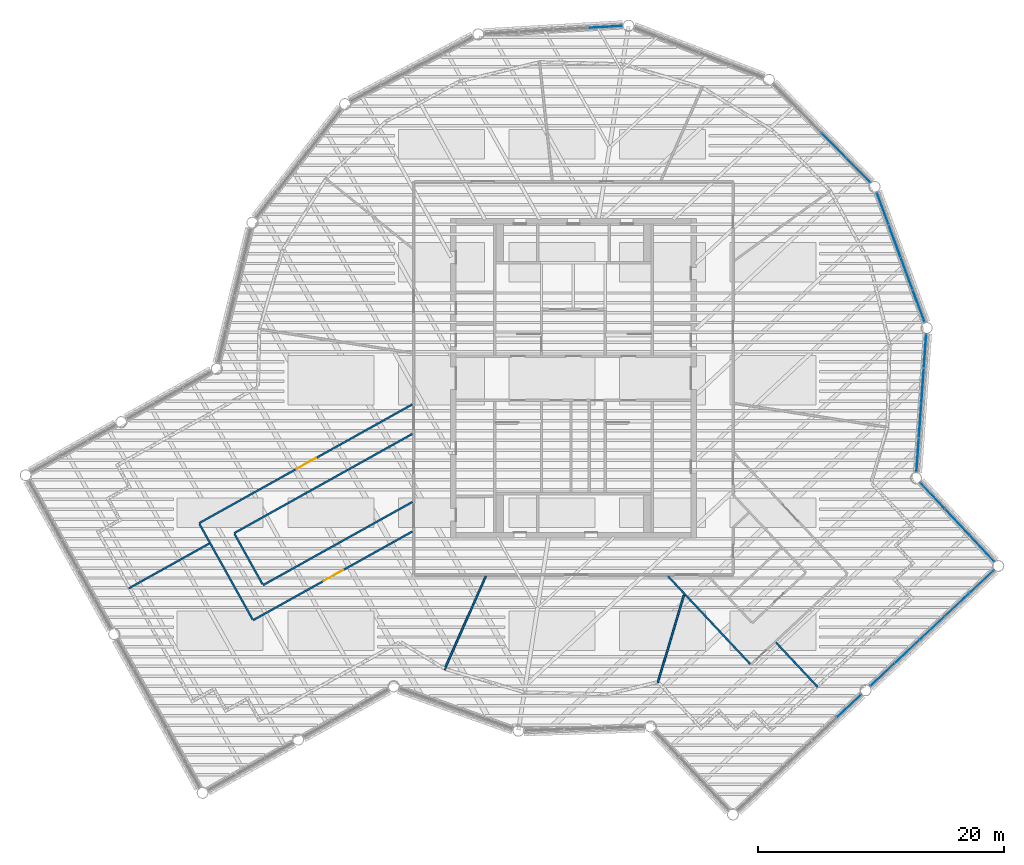
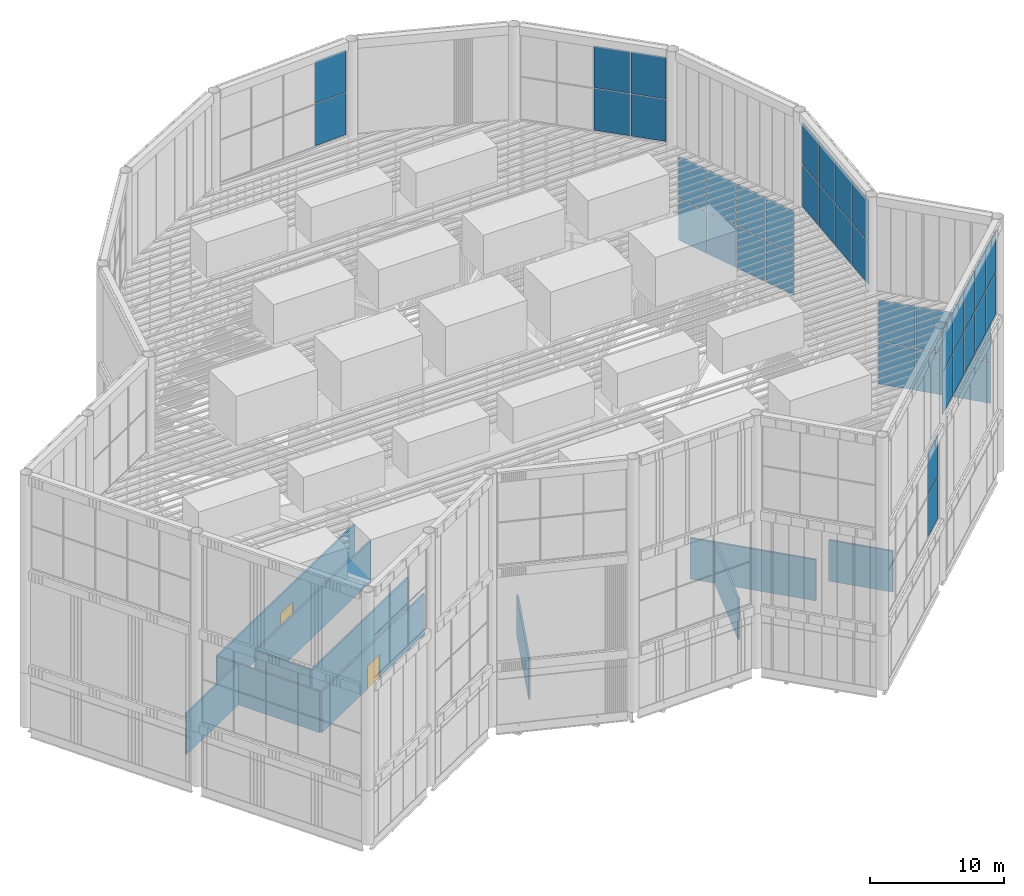
# One storey, part 81 of 117: 40 plates, 11 walls, 2 doors, 2 openings, 7 elements without a shape of their own.
"""IFC4 building model written with IfcOpenShell, lengths in metres."""

from ifc_helpers import new_model, si_unit, direction, frame, frame_2d, origin, origin_2d, place, context, subcontext, project, spatial, rectangle, extrude, material, layer, layer_set, type_object, element, fill, aggregate, save


model = new_model("IFC4")

# Units and contexts
model_context = context("Model", 3, precision=1e-05, world=origin(), true_north=direction((0.0, 1.0)))
body_context = subcontext(model_context, "Body", "Model", "MODEL_VIEW")
ifc_project = project(units=[si_unit("LENGTHUNIT", "METRE"), si_unit("AREAUNIT", "SQUARE_METRE"), si_unit("VOLUMEUNIT", "CUBIC_METRE"), si_unit("PLANEANGLEUNIT", "RADIAN"), si_unit("MASSUNIT", "GRAM", prefix="KILO")], contexts=[model_context])

# Site, building, storey
site_placement = place(None, origin())
site = spatial("IfcSite", under=ifc_project, at=site_placement, CompositionType="ELEMENT")
building_placement = place(site_placement, origin())
building = spatial("IfcBuilding", under=site, at=building_placement, Name="Tarsis Ring Headquarters", CompositionType="ELEMENT")
storey_placement = place(building_placement, frame((0.0, 0.0, 403.60009765625)))
storey = spatial("IfcBuildingStorey", under=building, at=storey_placement, Name="L95", CompositionType="ELEMENT", Elevation=403.60009765625)

# Curtain wall, plates
ifc_material_1 = material(Name="Aluminium curtain wall", Category="aluminium")
ifc_layer_1 = layer(ifc_material_1, 0.179931640625)
ifc_layer_set_1 = layer_set([ifc_layer_1], Name="Curtain wall crown glazing")
curtain_wall_type = type_object("IfcCurtainWallType", Name="Curtain wall crown glazing", PredefinedType="NOTDEFINED", material=ifc_layer_set_1)
curtain_wall_1_placement = place(storey_placement, origin())
curtain_wall_1 = element("IfcCurtainWall", 1, at=curtain_wall_1_placement, inside=storey, type_object=curtain_wall_type, Name="Crown glazing L3", PredefinedType="NOTDEFINED")
ifc_material_2 = material(Name="Clear double glazing", Category="glass")
ifc_layer_2 = layer(ifc_material_2, 0.031982421875)
ifc_layer_set_2 = layer_set([ifc_layer_2], Name="Crown glazing glass panel")
plate_type = type_object("IfcPlateType", Name="Crown glazing glass panel", PredefinedType="CURTAIN_PANEL", material=ifc_layer_set_2)
plate_1_placement = place(storey_placement, frame((22.4267578125, -26.6748046875, 5.869873046875), z_axis=(0.0, 0.0, 1.0), x_axis=(0.729923774312, 0.683528553678, 0.0)))
plate_1 = element("IfcPlate", 2, at=plate_1_placement, type_object=plate_type, Name="CW-C panel 5.1", PredefinedType="CURTAIN_PANEL", context=body_context, shape_type="SweptSolid", body=[
    extrude(rectangle(XDim=2.672119140625, YDim=0.031982421875, at=origin_2d()), origin(), (0.0, 0.0, 1.0), 3.794921875),
])
plate_2_placement = place(storey_placement, frame((22.4267578125, -26.6748046875, 9.73486328125), z_axis=(0.0, 0.0, 1.0), x_axis=(0.729923774312, 0.683528553678, 0.0)))
plate_2 = element("IfcPlate", 3, at=plate_2_placement, type_object=plate_type, Name="CW-C panel 5.2", PredefinedType="CURTAIN_PANEL", context=body_context, shape_type="SweptSolid", body=[
    extrude(rectangle(XDim=2.672119140625, YDim=0.031982421875, at=origin_2d()), origin(), (0.0, 0.0, 1.0), 3.794921875),
])
aggregate(curtain_wall_1, [plate_1, plate_2])

curtain_wall_2_placement = place(storey_placement, origin())
curtain_wall_2 = element("IfcCurtainWall", 4, at=curtain_wall_2_placement, inside=storey, type_object=curtain_wall_type, Name="Crown glazing L5", PredefinedType="NOTDEFINED")
plate_3_placement = place(storey_placement, frame((33.25244140625, -13.857177734375, 5.869873046875), z_axis=(0.0, 0.0, 1.0), x_axis=(-0.683528534021, 0.72992379272, 0.0)))
plate_3 = element("IfcPlate", 5, at=plate_3_placement, type_object=plate_type, Name="CW-C panel 1.1", PredefinedType="CURTAIN_PANEL", context=body_context, shape_type="SweptSolid", body=[
    extrude(rectangle(XDim=2.8583984375, YDim=0.031982421875, at=origin_2d()), origin(), (0.0, 0.0, 1.0), 3.794921875),
])
plate_4_placement = place(storey_placement, frame((33.25244140625, -13.857177734375, 9.73486328125), z_axis=(0.0, 0.0, 1.0), x_axis=(-0.683528534021, 0.72992379272, 0.0)))
plate_4 = element("IfcPlate", 6, at=plate_4_placement, type_object=plate_type, Name="CW-C panel 1.2", PredefinedType="CURTAIN_PANEL", context=body_context, shape_type="SweptSolid", body=[
    extrude(rectangle(XDim=2.8583984375, YDim=0.031982421875, at=origin_2d()), origin(), (0.0, 0.0, 1.0), 3.794921875),
])
plate_5_placement = place(storey_placement, frame((31.23876953125, -11.706787109375, 5.869873046875), z_axis=(0.0, 0.0, 1.0), x_axis=(-0.683528534021, 0.72992379272, 0.0)))
plate_5 = element("IfcPlate", 7, at=plate_5_placement, type_object=plate_type, Name="CW-C panel 2.1", PredefinedType="CURTAIN_PANEL", context=body_context, shape_type="SweptSolid", body=[
    extrude(rectangle(XDim=2.8935546875, YDim=0.031982421875, at=origin_2d()), origin(), (0.0, 0.0, 1.0), 3.794921875),
])
plate_6_placement = place(storey_placement, frame((31.23876953125, -11.706787109375, 9.73486328125), z_axis=(0.0, 0.0, 1.0), x_axis=(-0.683528534021, 0.72992379272, 0.0)))
plate_6 = element("IfcPlate", 8, at=plate_6_placement, type_object=plate_type, Name="CW-C panel 2.2", PredefinedType="CURTAIN_PANEL", context=body_context, shape_type="SweptSolid", body=[
    extrude(rectangle(XDim=2.8935546875, YDim=0.031982421875, at=origin_2d()), origin(), (0.0, 0.0, 1.0), 3.794921875),
])
plate_7_placement = place(storey_placement, frame((29.22509765625, -9.556396484375, 5.869873046875), z_axis=(0.0, 0.0, 1.0), x_axis=(-0.683528534021, 0.72992379272, 0.0)))
plate_7 = element("IfcPlate", 9, at=plate_7_placement, type_object=plate_type, Name="CW-C panel 3.1", PredefinedType="CURTAIN_PANEL", context=body_context, shape_type="SweptSolid", body=[
    extrude(rectangle(XDim=2.8583984375, YDim=0.031982421875, at=origin_2d()), origin(), (0.0, 0.0, 1.0), 3.794921875),
])
plate_8_placement = place(storey_placement, frame((29.22509765625, -9.556396484375, 9.73486328125), z_axis=(0.0, 0.0, 1.0), x_axis=(-0.683528534021, 0.72992379272, 0.0)))
plate_8 = element("IfcPlate", 10, at=plate_8_placement, type_object=plate_type, Name="CW-C panel 3.2", PredefinedType="CURTAIN_PANEL", context=body_context, shape_type="SweptSolid", body=[
    extrude(rectangle(XDim=2.8583984375, YDim=0.031982421875, at=origin_2d()), origin(), (0.0, 0.0, 1.0), 3.794921875),
])
aggregate(curtain_wall_2, [plate_3, plate_4, plate_5, plate_6, plate_7, plate_8])

curtain_wall_3_placement = place(storey_placement, origin())
curtain_wall_3 = element("IfcCurtainWall", 11, at=curtain_wall_3_placement, inside=storey, type_object=curtain_wall_type, Name="Crown glazing L7", PredefinedType="NOTDEFINED")
plate_9_placement = place(storey_placement, frame((28.104248046875, 5.863525390625, 5.869873046875), z_axis=(0.0, 0.0, 1.0), x_axis=(-0.346342494267, 0.938108136978, 0.0)))
plate_9 = element("IfcPlate", 12, at=plate_9_placement, type_object=plate_type, Name="CW-C panel 1.1", PredefinedType="CURTAIN_PANEL", context=body_context, shape_type="SweptSolid", body=[
    extrude(rectangle(XDim=2.728759765625, YDim=0.031982421875, at=origin_2d()), origin(), (0.0, 0.0, 1.0), 3.794921875),
])
plate_10_placement = place(storey_placement, frame((28.104248046875, 5.863525390625, 9.73486328125), z_axis=(0.0, 0.0, 1.0), x_axis=(-0.346342494267, 0.938108136978, 0.0)))
plate_10 = element("IfcPlate", 13, at=plate_10_placement, type_object=plate_type, Name="CW-C panel 1.2", PredefinedType="CURTAIN_PANEL", context=body_context, shape_type="SweptSolid", body=[
    extrude(rectangle(XDim=2.728759765625, YDim=0.031982421875, at=origin_2d()), origin(), (0.0, 0.0, 1.0), 3.794921875),
])
plate_11_placement = place(storey_placement, frame((27.12890625, 8.50537109375, 5.869873046875), z_axis=(0.0, 0.0, 1.0), x_axis=(-0.346342494267, 0.938108136978, 0.0)))
plate_11 = element("IfcPlate", 14, at=plate_11_placement, type_object=plate_type, Name="CW-C panel 2.1", PredefinedType="CURTAIN_PANEL", context=body_context, shape_type="SweptSolid", body=[
    extrude(rectangle(XDim=2.763671875, YDim=0.031982421875, at=origin_2d()), origin(), (0.0, 0.0, 1.0), 3.794921875),
])
plate_12_placement = place(storey_placement, frame((27.12890625, 8.50537109375, 9.73486328125), z_axis=(0.0, 0.0, 1.0), x_axis=(-0.346342494267, 0.938108136978, 0.0)))
plate_12 = element("IfcPlate", 15, at=plate_12_placement, type_object=plate_type, Name="CW-C panel 2.2", PredefinedType="CURTAIN_PANEL", context=body_context, shape_type="SweptSolid", body=[
    extrude(rectangle(XDim=2.763671875, YDim=0.031982421875, at=origin_2d()), origin(), (0.0, 0.0, 1.0), 3.794921875),
])
plate_13_placement = place(storey_placement, frame((26.1474609375, 11.163818359375, 5.869873046875), z_axis=(0.0, 0.0, 1.0), x_axis=(-0.346342494267, 0.938108136978, 0.0)))
plate_13 = element("IfcPlate", 16, at=plate_13_placement, type_object=plate_type, Name="CW-C panel 3.1", PredefinedType="CURTAIN_PANEL", context=body_context, shape_type="SweptSolid", body=[
    extrude(rectangle(XDim=2.763671875, YDim=0.031982421875, at=origin_2d()), origin(), (0.0, 0.0, 1.0), 3.794921875),
])
plate_14_placement = place(storey_placement, frame((26.1474609375, 11.163818359375, 9.73486328125), z_axis=(0.0, 0.0, 1.0), x_axis=(-0.346342494267, 0.938108136978, 0.0)))
plate_14 = element("IfcPlate", 17, at=plate_14_placement, type_object=plate_type, Name="CW-C panel 3.2", PredefinedType="CURTAIN_PANEL", context=body_context, shape_type="SweptSolid", body=[
    extrude(rectangle(XDim=2.763671875, YDim=0.031982421875, at=origin_2d()), origin(), (0.0, 0.0, 1.0), 3.794921875),
])
plate_15_placement = place(storey_placement, frame((25.172119140625, 13.8056640625, 5.869873046875), z_axis=(0.0, 0.0, 1.0), x_axis=(-0.346342494267, 0.938108136978, 0.0)))
plate_15 = element("IfcPlate", 18, at=plate_15_placement, type_object=plate_type, Name="CW-C panel 4.1", PredefinedType="CURTAIN_PANEL", context=body_context, shape_type="SweptSolid", body=[
    extrude(rectangle(XDim=2.728759765625, YDim=0.031982421875, at=origin_2d()), origin(), (0.0, 0.0, 1.0), 3.794921875),
])
plate_16_placement = place(storey_placement, frame((25.172119140625, 13.8056640625, 9.73486328125), z_axis=(0.0, 0.0, 1.0), x_axis=(-0.346342494267, 0.938108136978, 0.0)))
plate_16 = element("IfcPlate", 19, at=plate_16_placement, type_object=plate_type, Name="CW-C panel 4.2", PredefinedType="CURTAIN_PANEL", context=body_context, shape_type="SweptSolid", body=[
    extrude(rectangle(XDim=2.728759765625, YDim=0.031982421875, at=origin_2d()), origin(), (0.0, 0.0, 1.0), 3.794921875),
])
aggregate(curtain_wall_3, [plate_9, plate_10, plate_11, plate_12, plate_13, plate_14, plate_15, plate_16])

curtain_wall_4_placement = place(storey_placement, origin())
curtain_wall_4 = element("IfcCurtainWall", 20, at=curtain_wall_4_placement, inside=storey, type_object=curtain_wall_type, Name="Crown glazing U4", PredefinedType="NOTDEFINED")
plate_17_placement = place(storey_placement, frame((25.146728515625, -24.1279296875, 14.469970703125), z_axis=(0.0, 0.0, 1.0), x_axis=(0.729923807954, 0.683528517753, 0.0)))
plate_17 = element("IfcPlate", 21, at=plate_17_placement, type_object=plate_type, Name="CW-C panel 1.1", PredefinedType="CURTAIN_PANEL", context=body_context, shape_type="SweptSolid", body=[
    extrude(rectangle(XDim=2.672119140625, YDim=0.031982421875, at=origin_2d()), origin(), (0.0, 0.0, 1.0), 3.794921875),
])
plate_18_placement = place(storey_placement, frame((25.146728515625, -24.1279296875, 18.3349609375), z_axis=(0.0, 0.0, 1.0), x_axis=(0.729923807954, 0.683528517753, 0.0)))
plate_18 = element("IfcPlate", 22, at=plate_18_placement, type_object=plate_type, Name="CW-C panel 1.2", PredefinedType="CURTAIN_PANEL", context=body_context, shape_type="SweptSolid", body=[
    extrude(rectangle(XDim=2.672119140625, YDim=0.031982421875, at=origin_2d()), origin(), (0.0, 0.0, 1.0), 3.794921875),
])
plate_19_placement = place(storey_placement, frame((27.1611328125, -22.241455078125, 14.469970703125), z_axis=(0.0, 0.0, 1.0), x_axis=(0.729923807954, 0.683528517753, 0.0)))
plate_19 = element("IfcPlate", 23, at=plate_19_placement, type_object=plate_type, Name="CW-C panel 2.1", PredefinedType="CURTAIN_PANEL", context=body_context, shape_type="SweptSolid", body=[
    extrude(rectangle(XDim=2.707275390625, YDim=0.031982421875, at=origin_2d()), origin(), (0.0, 0.0, 1.0), 3.794921875),
])
plate_20_placement = place(storey_placement, frame((27.1611328125, -22.241455078125, 18.3349609375), z_axis=(0.0, 0.0, 1.0), x_axis=(0.729923807954, 0.683528517753, 0.0)))
plate_20 = element("IfcPlate", 24, at=plate_20_placement, type_object=plate_type, Name="CW-C panel 2.2", PredefinedType="CURTAIN_PANEL", context=body_context, shape_type="SweptSolid", body=[
    extrude(rectangle(XDim=2.707275390625, YDim=0.031982421875, at=origin_2d()), origin(), (0.0, 0.0, 1.0), 3.794921875),
])
plate_21_placement = place(storey_placement, frame((29.188232421875, -20.34326171875, 14.469970703125), z_axis=(0.0, 0.0, 1.0), x_axis=(0.729923807954, 0.683528517753, 0.0)))
plate_21 = element("IfcPlate", 25, at=plate_21_placement, type_object=plate_type, Name="CW-C panel 3.1", PredefinedType="CURTAIN_PANEL", context=body_context, shape_type="SweptSolid", body=[
    extrude(rectangle(XDim=2.707275390625, YDim=0.031982421875, at=origin_2d()), origin(), (0.0, 0.0, 1.0), 3.794921875),
])
plate_22_placement = place(storey_placement, frame((29.188232421875, -20.34326171875, 18.3349609375), z_axis=(0.0, 0.0, 1.0), x_axis=(0.729923807954, 0.683528517753, 0.0)))
plate_22 = element("IfcPlate", 26, at=plate_22_placement, type_object=plate_type, Name="CW-C panel 3.2", PredefinedType="CURTAIN_PANEL", context=body_context, shape_type="SweptSolid", body=[
    extrude(rectangle(XDim=2.707275390625, YDim=0.031982421875, at=origin_2d()), origin(), (0.0, 0.0, 1.0), 3.794921875),
])
plate_23_placement = place(storey_placement, frame((31.21533203125, -18.44482421875, 14.469970703125), z_axis=(0.0, 0.0, 1.0), x_axis=(0.729923807954, 0.683528517753, 0.0)))
plate_23 = element("IfcPlate", 27, at=plate_23_placement, type_object=plate_type, Name="CW-C panel 4.1", PredefinedType="CURTAIN_PANEL", context=body_context, shape_type="SweptSolid", body=[
    extrude(rectangle(XDim=2.707275390625, YDim=0.031982421875, at=origin_2d()), origin(), (0.0, 0.0, 1.0), 3.794921875),
])
plate_24_placement = place(storey_placement, frame((31.21533203125, -18.44482421875, 18.3349609375), z_axis=(0.0, 0.0, 1.0), x_axis=(0.729923807954, 0.683528517753, 0.0)))
plate_24 = element("IfcPlate", 28, at=plate_24_placement, type_object=plate_type, Name="CW-C panel 4.2", PredefinedType="CURTAIN_PANEL", context=body_context, shape_type="SweptSolid", body=[
    extrude(rectangle(XDim=2.707275390625, YDim=0.031982421875, at=origin_2d()), origin(), (0.0, 0.0, 1.0), 3.794921875),
])
plate_25_placement = place(storey_placement, frame((33.229736328125, -16.55859375, 14.469970703125), z_axis=(0.0, 0.0, 1.0), x_axis=(0.729923807954, 0.683528517753, 0.0)))
plate_25 = element("IfcPlate", 29, at=plate_25_placement, type_object=plate_type, Name="CW-C panel 5.1", PredefinedType="CURTAIN_PANEL", context=body_context, shape_type="SweptSolid", body=[
    extrude(rectangle(XDim=2.672119140625, YDim=0.031982421875, at=origin_2d()), origin(), (0.0, 0.0, 1.0), 3.794921875),
])
plate_26_placement = place(storey_placement, frame((33.229736328125, -16.55859375, 18.3349609375), z_axis=(0.0, 0.0, 1.0), x_axis=(0.729923807954, 0.683528517753, 0.0)))
plate_26 = element("IfcPlate", 30, at=plate_26_placement, type_object=plate_type, Name="CW-C panel 5.2", PredefinedType="CURTAIN_PANEL", context=body_context, shape_type="SweptSolid", body=[
    extrude(rectangle(XDim=2.672119140625, YDim=0.031982421875, at=origin_2d()), origin(), (0.0, 0.0, 1.0), 3.794921875),
])
aggregate(curtain_wall_4, [plate_17, plate_18, plate_19, plate_20, plate_21, plate_22, plate_23, plate_24, plate_25, plate_26])

curtain_wall_5_placement = place(storey_placement, origin())
curtain_wall_5 = element("IfcCurtainWall", 31, at=curtain_wall_5_placement, inside=storey, type_object=curtain_wall_type, Name="Crown glazing U6", PredefinedType="NOTDEFINED")
plate_27_placement = place(storey_placement, frame((28.0224609375, -6.241943359375, 14.469970703125), z_axis=(0.0, 0.0, 1.0), x_axis=(0.071127060071, 0.997467263285, 0.0)))
plate_27 = element("IfcPlate", 32, at=plate_27_placement, type_object=plate_type, Name="CW-C panel 1.1", PredefinedType="CURTAIN_PANEL", context=body_context, shape_type="SweptSolid", body=[
    extrude(rectangle(XDim=2.728759765625, YDim=0.031982421875, at=origin_2d()), origin(), (0.0, 0.0, 1.0), 3.794921875),
])
plate_28_placement = place(storey_placement, frame((28.0224609375, -6.241943359375, 18.3349609375), z_axis=(0.0, 0.0, 1.0), x_axis=(0.071127060071, 0.997467263285, 0.0)))
plate_28 = element("IfcPlate", 33, at=plate_28_placement, type_object=plate_type, Name="CW-C panel 1.2", PredefinedType="CURTAIN_PANEL", context=body_context, shape_type="SweptSolid", body=[
    extrude(rectangle(XDim=2.728759765625, YDim=0.031982421875, at=origin_2d()), origin(), (0.0, 0.0, 1.0), 3.794921875),
])
plate_29_placement = place(storey_placement, frame((28.222900390625, -3.432861328125, 14.469970703125), z_axis=(0.0, 0.0, 1.0), x_axis=(0.071127060071, 0.997467263285, 0.0)))
plate_29 = element("IfcPlate", 34, at=plate_29_placement, type_object=plate_type, Name="CW-C panel 2.1", PredefinedType="CURTAIN_PANEL", context=body_context, shape_type="SweptSolid", body=[
    extrude(rectangle(XDim=2.763671875, YDim=0.031982421875, at=origin_2d()), origin(), (0.0, 0.0, 1.0), 3.794921875),
])
plate_30_placement = place(storey_placement, frame((28.222900390625, -3.432861328125, 18.3349609375), z_axis=(0.0, 0.0, 1.0), x_axis=(0.071127060071, 0.997467263285, 0.0)))
plate_30 = element("IfcPlate", 35, at=plate_30_placement, type_object=plate_type, Name="CW-C panel 2.2", PredefinedType="CURTAIN_PANEL", context=body_context, shape_type="SweptSolid", body=[
    extrude(rectangle(XDim=2.763671875, YDim=0.031982421875, at=origin_2d()), origin(), (0.0, 0.0, 1.0), 3.794921875),
])
plate_31_placement = place(storey_placement, frame((28.42431640625, -0.6064453125, 14.469970703125), z_axis=(0.0, 0.0, 1.0), x_axis=(0.071127060071, 0.997467263285, 0.0)))
plate_31 = element("IfcPlate", 36, at=plate_31_placement, type_object=plate_type, Name="CW-C panel 3.1", PredefinedType="CURTAIN_PANEL", context=body_context, shape_type="SweptSolid", body=[
    extrude(rectangle(XDim=2.763671875, YDim=0.031982421875, at=origin_2d()), origin(), (0.0, 0.0, 1.0), 3.794921875),
])
plate_32_placement = place(storey_placement, frame((28.42431640625, -0.6064453125, 18.3349609375), z_axis=(0.0, 0.0, 1.0), x_axis=(0.071127060071, 0.997467263285, 0.0)))
plate_32 = element("IfcPlate", 37, at=plate_32_placement, type_object=plate_type, Name="CW-C panel 3.2", PredefinedType="CURTAIN_PANEL", context=body_context, shape_type="SweptSolid", body=[
    extrude(rectangle(XDim=2.763671875, YDim=0.031982421875, at=origin_2d()), origin(), (0.0, 0.0, 1.0), 3.794921875),
])
plate_33_placement = place(storey_placement, frame((28.624755859375, 2.20263671875, 14.469970703125), z_axis=(0.0, 0.0, 1.0), x_axis=(0.071127060071, 0.997467263285, 0.0)))
plate_33 = element("IfcPlate", 38, at=plate_33_placement, type_object=plate_type, Name="CW-C panel 4.1", PredefinedType="CURTAIN_PANEL", context=body_context, shape_type="SweptSolid", body=[
    extrude(rectangle(XDim=2.728759765625, YDim=0.031982421875, at=origin_2d()), origin(), (0.0, 0.0, 1.0), 3.794921875),
])
plate_34_placement = place(storey_placement, frame((28.624755859375, 2.20263671875, 18.3349609375), z_axis=(0.0, 0.0, 1.0), x_axis=(0.071127060071, 0.997467263285, 0.0)))
plate_34 = element("IfcPlate", 39, at=plate_34_placement, type_object=plate_type, Name="CW-C panel 4.2", PredefinedType="CURTAIN_PANEL", context=body_context, shape_type="SweptSolid", body=[
    extrude(rectangle(XDim=2.728759765625, YDim=0.031982421875, at=origin_2d()), origin(), (0.0, 0.0, 1.0), 3.794921875),
])
aggregate(curtain_wall_5, [plate_27, plate_28, plate_29, plate_30, plate_31, plate_32, plate_33, plate_34])

curtain_wall_6_placement = place(storey_placement, origin())
curtain_wall_6 = element("IfcCurtainWall", 40, at=curtain_wall_6_placement, inside=storey, type_object=curtain_wall_type, Name="Crown glazing U8", PredefinedType="NOTDEFINED")
plate_35_placement = place(storey_placement, frame((23.188720703125, 16.926513671875, 14.469970703125), z_axis=(0.0, 0.0, 1.0), x_axis=(-0.70223086464, 0.711949304899, 0.0)))
plate_35 = element("IfcPlate", 41, at=plate_35_placement, type_object=plate_type, Name="CW-C panel 1.1", PredefinedType="CURTAIN_PANEL", context=body_context, shape_type="SweptSolid", body=[
    extrude(rectangle(XDim=2.728759765625, YDim=0.031982421875, at=origin_2d()), origin(), (0.0, 0.0, 1.0), 3.794921875),
])
plate_36_placement = place(storey_placement, frame((23.188720703125, 16.926513671875, 18.3349609375), z_axis=(0.0, 0.0, 1.0), x_axis=(-0.70223086464, 0.711949304899, 0.0)))
plate_36 = element("IfcPlate", 42, at=plate_36_placement, type_object=plate_type, Name="CW-C panel 1.2", PredefinedType="CURTAIN_PANEL", context=body_context, shape_type="SweptSolid", body=[
    extrude(rectangle(XDim=2.728759765625, YDim=0.031982421875, at=origin_2d()), origin(), (0.0, 0.0, 1.0), 3.794921875),
])
plate_37_placement = place(storey_placement, frame((21.211181640625, 18.931396484375, 14.469970703125), z_axis=(0.0, 0.0, 1.0), x_axis=(-0.70223086464, 0.711949304899, 0.0)))
plate_37 = element("IfcPlate", 43, at=plate_37_placement, type_object=plate_type, Name="CW-C panel 2.1", PredefinedType="CURTAIN_PANEL", context=body_context, shape_type="SweptSolid", body=[
    extrude(rectangle(XDim=2.763671875, YDim=0.031982421875, at=origin_2d()), origin(), (0.0, 0.0, 1.0), 3.794921875),
])
plate_38_placement = place(storey_placement, frame((21.211181640625, 18.931396484375, 18.3349609375), z_axis=(0.0, 0.0, 1.0), x_axis=(-0.70223086464, 0.711949304899, 0.0)))
plate_38 = element("IfcPlate", 44, at=plate_38_placement, type_object=plate_type, Name="CW-C panel 2.2", PredefinedType="CURTAIN_PANEL", context=body_context, shape_type="SweptSolid", body=[
    extrude(rectangle(XDim=2.763671875, YDim=0.031982421875, at=origin_2d()), origin(), (0.0, 0.0, 1.0), 3.794921875),
])
aggregate(curtain_wall_6, [plate_35, plate_36, plate_37, plate_38])

curtain_wall_7_placement = place(storey_placement, origin())
curtain_wall_7 = element("IfcCurtainWall", 45, at=curtain_wall_7_placement, inside=storey, type_object=curtain_wall_type, Name="Crown glazing U10", PredefinedType="NOTDEFINED")
plate_39_placement = place(storey_placement, frame((2.595947265625, 28.591796875, 14.469970703125), z_axis=(0.0, 0.0, 1.0), x_axis=(-0.998350596723, -0.057411549568, 0.0)))
plate_39 = element("IfcPlate", 46, at=plate_39_placement, type_object=plate_type, Name="CW-C panel 1.1", PredefinedType="CURTAIN_PANEL", context=body_context, shape_type="SweptSolid", body=[
    extrude(rectangle(XDim=2.728759765625, YDim=0.031982421875, at=origin_2d()), origin(), (0.0, 0.0, 1.0), 3.794921875),
])
plate_40_placement = place(storey_placement, frame((2.595947265625, 28.591796875, 18.3349609375), z_axis=(0.0, 0.0, 1.0), x_axis=(-0.998350596723, -0.057411549568, 0.0)))
plate_40 = element("IfcPlate", 47, at=plate_40_placement, type_object=plate_type, Name="CW-C panel 1.2", PredefinedType="CURTAIN_PANEL", context=body_context, shape_type="SweptSolid", body=[
    extrude(rectangle(XDim=2.728759765625, YDim=0.031982421875, at=origin_2d()), origin(), (0.0, 0.0, 1.0), 3.794921875),
])
aggregate(curtain_wall_7, [plate_39, plate_40])

# Wall, opening, door
ifc_material_3 = material(Name="Gypsum board on steel studs", Category="steel")
ifc_layer_3 = layer(ifc_material_3, 0.14990234375)
ifc_layer_set_3 = layer_set([ifc_layer_3], Name="FL partition 150 EI 120 H3730")
wall_type = type_object("IfcWallType", Name="FL partition 150 EI 120 H3730", PredefinedType="PARTITIONING", material=ifc_layer_set_3)
wall_1_placement = place(storey_placement, frame((-30.47802734375, -11.803955078125, 0.0), z_axis=(0.0, 0.0, 1.0), x_axis=(0.873603690512, 0.486638050223, 0.0)))
wall_1 = element("IfcWall", 48, at=wall_1_placement, inside=storey, type_object=wall_type, Name="Partition PW2H373", PredefinedType="PARTITIONING", context=body_context, shape_type="SweptSolid", body=[
    extrude(rectangle(XDim=19.886962890625, YDim=0.14990234375, at=frame_2d((9.943359375, 0.0))), origin(), (0.0, 0.0, 1.0), 3.72998046875),
])
opening_1_placement = place(wall_1_placement, frame((9.103515625, 0.0, 0.0)))
opening_1 = element("IfcOpeningElement", 49, at=opening_1_placement, cuts=wall_1, Name="Opening D95.02", PredefinedType="OPENING", context=body_context, shape_type="SweptSolid", body=[
    extrude(rectangle(XDim=1.800048828125, YDim=2.10009765625, at=frame_2d((0.89990234375, 1.050048828125))), frame((0.0, 0.0849609375, 0.0), z_axis=(0.0, -1.0, 0.0), x_axis=(1.0, 0.0, 0.0)), (0.0, 0.0, 1.0), 0.169921875),
])
ifc_material_4 = material(Name="Fire-rated timber door leaf in steel frame", Category="steel")
door_type = type_object("IfcDoorType", Name="FL door FD120-1800", OperationType="DOUBLE_DOOR_SINGLE_SWING", PredefinedType="DOOR", material=ifc_material_4)
door_1_placement = place(opening_1_placement, origin())
door_1 = element("IfcDoor", 50, at=door_1_placement, inside=storey, type_object=door_type, Name="Door D95.02", OperationType="DOUBLE_DOOR_SINGLE_SWING", OverallHeight=2.10009765625, OverallWidth=1.800048828125, PredefinedType="DOOR", context=body_context, shape_type="SweptSolid", body=[
    extrude(rectangle(XDim=1.800048828125, YDim=2.10009765625, at=frame_2d((0.89990234375, 1.050048828125))), frame((0.0, 0.02490234375, 0.0), z_axis=(0.0, -1.0, 0.0), x_axis=(1.0, 0.0, 0.0)), (0.0, 0.0, 1.0), 0.050048828125),
])
fill(opening_1, door_1)

# Wall
wall_2_placement = place(storey_placement, frame((-27.62158203125, -12.616455078125, 0.0), z_axis=(0.0, 0.0, 1.0), x_axis=(0.873600902574, 0.486643055044, 0.0)))
element("IfcWall", 51, at=wall_2_placement, inside=storey, type_object=wall_type, Name="Partition PW2H373", PredefinedType="PARTITIONING", context=body_context, shape_type="SweptSolid", body=[
    extrude(rectangle(XDim=16.6171875, YDim=0.14990234375, at=frame_2d((8.30859375, 0.0))), origin(), (0.0, 0.0, 1.0), 3.72998046875),
])

# Wall, opening, door
wall_3_placement = place(storey_placement, frame((-26.078857421875, -19.701171875, 0.0), z_axis=(0.0, 0.0, 1.0), x_axis=(0.873607712979, 0.486630829092, 0.0)))
wall_3 = element("IfcWall", 52, at=wall_3_placement, inside=storey, type_object=wall_type, Name="Partition PW2H373", PredefinedType="PARTITIONING", context=body_context, shape_type="SweptSolid", body=[
    extrude(rectangle(XDim=14.851318359375, YDim=0.14990234375, at=frame_2d((7.42578125, 0.0))), origin(), (0.0, 0.0, 1.0), 3.72998046875),
])
opening_2_placement = place(wall_3_placement, frame((6.585693359375, 0.0, 0.0)))
opening_2 = element("IfcOpeningElement", 53, at=opening_2_placement, cuts=wall_3, Name="Opening D95.01", PredefinedType="OPENING", context=body_context, shape_type="SweptSolid", body=[
    extrude(rectangle(XDim=1.800048828125, YDim=2.10009765625, at=frame_2d((0.89990234375, 1.050048828125))), frame((0.0, 0.0849609375, 0.0), z_axis=(0.0, -1.0, 0.0), x_axis=(1.0, 0.0, 0.0)), (0.0, 0.0, 1.0), 0.169921875),
])
door_2_placement = place(opening_2_placement, origin())
door_2 = element("IfcDoor", 54, at=door_2_placement, inside=storey, type_object=door_type, Name="Door D95.01", OperationType="DOUBLE_DOOR_SINGLE_SWING", OverallHeight=2.10009765625, OverallWidth=1.800048828125, PredefinedType="DOOR", context=body_context, shape_type="SweptSolid", body=[
    extrude(rectangle(XDim=1.800048828125, YDim=2.10009765625, at=frame_2d((0.89990234375, 1.050048828125))), frame((0.0, 0.02490234375, 0.0), z_axis=(0.0, -1.0, 0.0), x_axis=(1.0, 0.0, 0.0)), (0.0, 0.0, 1.0), 0.050048828125),
])
fill(opening_2, door_2)

# Walls
wall_4_placement = place(storey_placement, frame((-25.266357421875, -16.8447265625, 0.0), z_axis=(0.0, 0.0, 1.0), x_axis=(0.873609089556, 0.486628357831, 0.0)))
element("IfcWall", 55, at=wall_4_placement, inside=storey, type_object=wall_type, Name="Partition PW2H373", PredefinedType="PARTITIONING", context=body_context, shape_type="SweptSolid", body=[
    extrude(rectangle(XDim=13.921142578125, YDim=0.14990234375, at=frame_2d((6.96044921875, 0.0))), origin(), (0.0, 0.0, 1.0), 3.72998046875),
])
wall_5_placement = place(storey_placement, frame((7.6943359375, -16.11669921875, 0.0), z_axis=(0.0, 0.0, 1.0), x_axis=(0.683526112517, -0.729926060301, 0.0)))
element("IfcWall", 56, at=wall_5_placement, inside=storey, type_object=wall_type, Name="Partition PW2H373", PredefinedType="PARTITIONING", context=body_context, shape_type="SweptSolid", body=[
    extrude(rectangle(XDim=9.78662109375, YDim=0.14990234375, at=frame_2d((4.893310546875, 0.0))), origin(), (0.0, 0.0, 1.0), 3.72998046875),
])
wall_6_placement = place(storey_placement, frame((-30.439208984375, -11.873779296875, 0.0), z_axis=(0.0, 0.0, 1.0), x_axis=(0.486634718295, -0.873605546543, 0.0)))
element("IfcWall", 57, at=wall_6_placement, inside=storey, type_object=wall_type, Name="Partition PW2H373", PredefinedType="PARTITIONING", context=body_context, shape_type="SweptSolid", body=[
    extrude(rectangle(XDim=8.8798828125, YDim=0.14990234375, at=frame_2d((4.43994140625, 0.0))), origin(), (0.0, 0.0, 1.0), 3.72998046875),
])
wall_7_placement = place(storey_placement, frame((-10.50439453125, -23.7265625, 0.0), z_axis=(0.0, 0.0, 1.0), x_axis=(0.404826162724, 0.914393666849, 0.0)))
element("IfcWall", 58, at=wall_7_placement, inside=storey, type_object=wall_type, Name="Partition PW2H373", PredefinedType="PARTITIONING", context=body_context, shape_type="SweptSolid", body=[
    extrude(rectangle(XDim=8.33984375, YDim=0.14990234375, at=frame_2d((4.169921875, 0.0))), origin(), (0.0, 0.0, 1.0), 3.72998046875),
])
wall_8_placement = place(storey_placement, frame((-36.19970703125, -17.10888671875, 0.0), z_axis=(0.0, 0.0, 1.0), x_axis=(0.873596247997, 0.486651410648, 0.0)))
element("IfcWall", 59, at=wall_8_placement, inside=storey, type_object=wall_type, Name="Partition PW2H373", PredefinedType="PARTITIONING", context=body_context, shape_type="SweptSolid", body=[
    extrude(rectangle(XDim=7.5, YDim=0.14990234375, at=frame_2d((3.75, 0.0))), origin(), (0.0, 0.0, 1.0), 3.72998046875),
])
wall_9_placement = place(storey_placement, frame((6.865966796875, -24.778076171875, 0.0), z_axis=(0.0, 0.0, 1.0), x_axis=(0.286196260498, 0.958171018387, 0.0)))
element("IfcWall", 60, at=wall_9_placement, inside=storey, type_object=wall_type, Name="Partition PW2H373", PredefinedType="PARTITIONING", context=body_context, shape_type="SweptSolid", body=[
    extrude(rectangle(XDim=7.430908203125, YDim=0.14990234375, at=frame_2d((3.71533203125, 0.0))), origin(), (0.0, 0.0, 1.0), 3.72998046875),
])
wall_10_placement = place(storey_placement, frame((16.48583984375, -21.510986328125, 0.0), z_axis=(0.0, 0.0, 1.0), x_axis=(0.683538234855, -0.729914708367, 0.0)))
element("IfcWall", 61, at=wall_10_placement, inside=storey, type_object=wall_type, Name="Partition PW2H373", PredefinedType="PARTITIONING", context=body_context, shape_type="SweptSolid", body=[
    extrude(rectangle(XDim=4.97998046875, YDim=0.14990234375, at=frame_2d((2.489990234375, 0.0))), origin(), (0.0, 0.0, 1.0), 3.72998046875),
])
wall_11_placement = place(storey_placement, frame((-27.582763671875, -12.686279296875, 0.0), z_axis=(0.0, 0.0, 1.0), x_axis=(0.486643582633, -0.873600608678, 0.0)))
element("IfcWall", 62, at=wall_11_placement, inside=storey, type_object=wall_type, Name="Partition PW2H373", PredefinedType="PARTITIONING", context=body_context, shape_type="SweptSolid", body=[
    extrude(rectangle(XDim=4.68017578125, YDim=0.14990234375, at=frame_2d((2.340087890625, 0.0))), origin(), (0.0, 0.0, 1.0), 3.72998046875),
])

save(model, "model.ifc")
